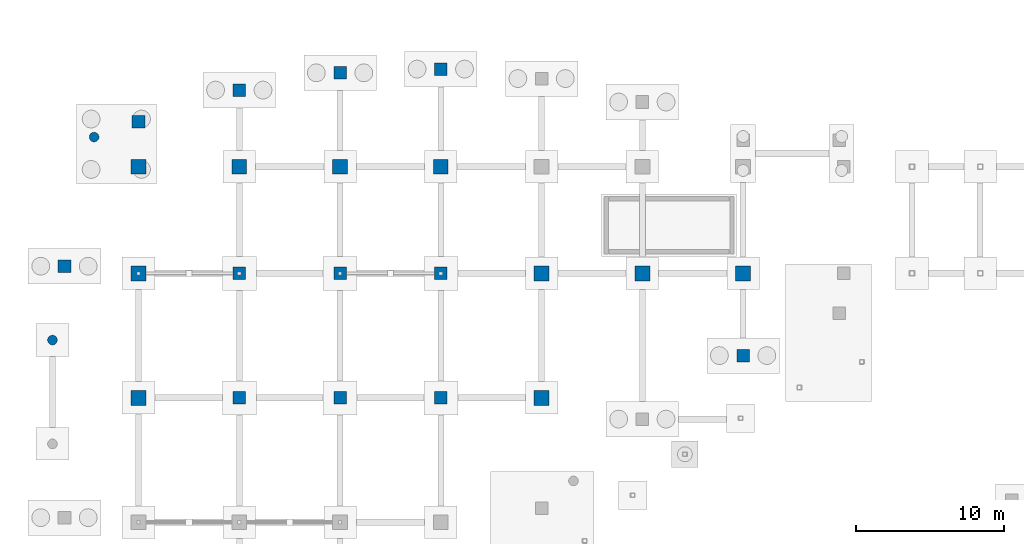
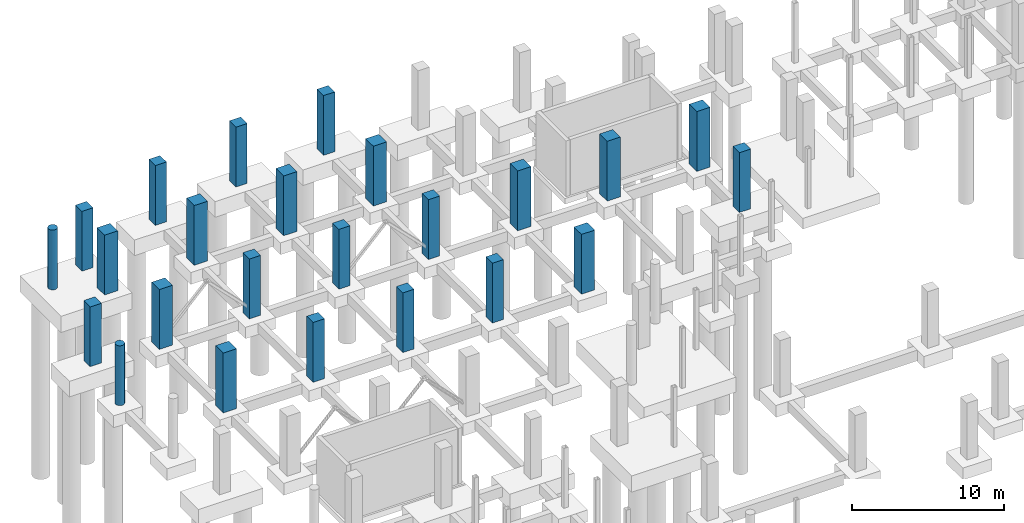
# One storey, part 20 of 44: 24 columns.
"""IFC4 building model written with IfcOpenShell, lengths in metres."""

from ifc_helpers import new_model, si_unit, direction, frame, origin, origin_2d, place, context, subcontext, project, spatial, rectangle, circle, extrude, material, material_profile, profile_set, type_object, element, save


model = new_model("IFC4")

# Units and contexts
model_context = context("Model", 3, precision=1e-05, world=origin(), true_north=direction((0.0, 1.0)))
body_context = subcontext(model_context, "Body", "Model", "MODEL_VIEW")
ifc_project = project(units=[si_unit("LENGTHUNIT", "METRE"), si_unit("AREAUNIT", "SQUARE_METRE"), si_unit("VOLUMEUNIT", "CUBIC_METRE"), si_unit("PLANEANGLEUNIT", "RADIAN"), si_unit("MASSUNIT", "GRAM", prefix="KILO")], contexts=[model_context])

# Site, building, storey
site_placement = place(None, origin())
site = spatial("IfcSite", under=ifc_project, at=site_placement, CompositionType="ELEMENT")
building_placement = place(site_placement, origin())
building = spatial("IfcBuilding", under=site, at=building_placement, Name="Kisaragi Civic Commons", CompositionType="ELEMENT")
storey_placement = place(building_placement, frame((0.0, 0.0, -4.800048828125)))
storey = spatial("IfcBuildingStorey", under=building, at=storey_placement, Name="B1", CompositionType="ELEMENT", Elevation=-4.800048828125)

# Columns
ifc_material_1 = material(Name="Concrete Fc36", Category="concrete")
ifc_material_profile_1 = material_profile(ifc_material_1, rectangle(XDim=0.85009765625, YDim=0.85009765625, at=origin_2d()), Name="RC-850x850", Category="concrete")
ifc_profile_set_1 = profile_set([ifc_material_profile_1], Name="Concrete Fc36")
column_type_1 = type_object("IfcColumnType", Name="C-01", PredefinedType="COLUMN", material=ifc_profile_set_1)
for number, where, z_axis, x_axis, name in (
    (1, (13.60009765625, 96.0, 0.0), (0.0, 0.0, 1.0), (1.0, 0.0, 0.0), "B1 column C-01 (13.6,96.0)"),
    (2, (13.60009765625, 104.39990234375, 0.0), (0.0, 0.0, 1.0), (1.0, 0.0, 0.0), "B1 column C-01 (13.6,104.4)"),
    (3, (20.39990234375, 96.0, 0.0), (0.0, 0.0, 1.0), (1.0, 0.0, 0.0), "B1 column C-01 (20.4,96.0)"),
    (4, (20.39990234375, 104.39990234375, 0.0), (0.0, 0.0, 1.0), (1.0, 0.0, 0.0), "B1 column C-01 (20.4,104.4)"),
    (5, (27.199951171875, 96.0, 0.0), (0.0, 0.0, 1.0), (1.0, 0.0, 0.0), "B1 column C-01 (27.2,96.0)"),
    (6, (27.199951171875, 104.39990234375, 0.0), (0.0, 0.0, 1.0), (1.0, 0.0, 0.0), "B1 column C-01 (27.2,104.4)"),
):
    element("IfcColumn", number, at=place(storey_placement, frame(where, z_axis=z_axis, x_axis=x_axis)), inside=storey, type_object=column_type_1, Name=name, PredefinedType="COLUMN", context=body_context, shape_type="SweptSolid", body=[
        extrude(rectangle(XDim=0.85009765625, YDim=0.85009765625, at=origin_2d()), origin(), (0.0, 0.0, 1.0), 4.800048828125),
    ])
ifc_material_profile_2 = material_profile(ifc_material_1, rectangle(XDim=0.85009765625, YDim=0.85009765625, at=origin_2d()), Name="RC-850x850", Category="concrete")
ifc_profile_set_2 = profile_set([ifc_material_profile_2], Name="Concrete Fc36")
column_type_2 = type_object("IfcColumnType", Name="C-05", PredefinedType="COLUMN", material=ifc_profile_set_2)
for number, where, z_axis, x_axis, name in (
    (7, (1.800048828125, 104.8837890625, 0.0), (0.0, 0.0, 1.0), (1.0, 0.0, 0.0), "B1 column C-05 (1.8,104.9)"),
    (8, (6.800048828125, 114.631103515625, 0.0), (0.0, 0.0, 1.0), (1.0, 0.0, 0.0), "B1 column C-05 (6.8,114.6)"),
    (9, (13.60009765625, 116.770263671875, 0.0), (0.0, 0.0, 1.0), (1.0, 0.0, 0.0), "B1 column C-05 (13.6,116.8)"),
    (10, (20.39990234375, 117.93408203125, 0.0), (0.0, 0.0, 1.0), (1.0, 0.0, 0.0), "B1 column C-05 (20.4,117.9)"),
    (11, (27.199951171875, 118.1884765625, 0.0), (0.0, 0.0, 1.0), (1.0, 0.0, 0.0), "B1 column C-05 (27.2,118.2)"),
    (12, (47.60009765625, 98.851318359375, 0.0), (0.0, 0.0, 1.0), (1.0, 0.0, 0.0), "B1 column C-05 (47.6,98.9)"),
):
    element("IfcColumn", number, at=place(storey_placement, frame(where, z_axis=z_axis, x_axis=x_axis)), inside=storey, type_object=column_type_2, Name=name, PredefinedType="COLUMN", context=body_context, shape_type="SweptSolid", body=[
        extrude(rectangle(XDim=0.85009765625, YDim=0.85009765625, at=origin_2d()), origin(), (0.0, 0.0, 1.0), 4.800048828125),
    ])
ifc_material_2 = material(Name="Concrete Fc30", Category="concrete")
ifc_material_profile_3 = material_profile(ifc_material_2, circle(Radius=0.324951171875, at=origin_2d()), Name="RC-D650", Category="concrete")
ifc_profile_set_3 = profile_set([ifc_material_profile_3], Name="Concrete Fc30")
column_type_3 = type_object("IfcColumnType", Name="C-12", PredefinedType="COLUMN", material=ifc_profile_set_3)
for number, where, z_axis, x_axis, name in (
    (13, (0.9912109375, 99.9033203125, 0.0), (0.0, 0.0, 1.0), (1.0, 0.0, 0.0), "B1 column C-12 (1.0,99.9)"),
    (14, (3.800048828125, 113.60009765625, 0.0), (0.0, 0.0, 1.0), (1.0, 0.0, 0.0), "B1 column C-12 (3.8,113.6)"),
):
    element("IfcColumn", number, at=place(storey_placement, frame(where, z_axis=z_axis, x_axis=x_axis)), inside=storey, type_object=column_type_3, Name=name, PredefinedType="COLUMN", context=body_context, shape_type="SweptSolid", body=[
        extrude(circle(Radius=0.324951171875, at=origin_2d()), origin(), (0.0, 0.0, 1.0), 4.800048828125),
    ])
ifc_material_profile_4 = material_profile(ifc_material_1, rectangle(XDim=1.0, YDim=1.0, at=origin_2d()), Name="RC-1000x1000", Category="concrete")
ifc_profile_set_4 = profile_set([ifc_material_profile_4], Name="Concrete Fc36")
column_type_4 = type_object("IfcColumnType", Name="C-22", PredefinedType="COLUMN", material=ifc_profile_set_4)
for number, where, z_axis, x_axis, name in (
    (15, (6.800048828125, 96.0, 0.0), (0.0, 0.0, 1.0), (1.0, 0.0, 0.0), "B1 column C-22 (6.8,96.0)"),
    (16, (6.800048828125, 104.39990234375, 0.0), (0.0, 0.0, 1.0), (1.0, 0.0, 0.0), "B1 column C-22 (6.8,104.4)"),
    (17, (6.800048828125, 111.60009765625, 0.0), (0.0, 0.0, 1.0), (1.0, 0.0, 0.0), "B1 column C-22 (6.8,111.6)"),
    (18, (13.60009765625, 111.60009765625, 0.0), (0.0, 0.0, 1.0), (1.0, 0.0, 0.0), "B1 column C-22 (13.6,111.6)"),
    (19, (20.39990234375, 111.60009765625, 0.0), (0.0, 0.0, 1.0), (1.0, 0.0, 0.0), "B1 column C-22 (20.4,111.6)"),
    (20, (27.199951171875, 111.60009765625, 0.0), (0.0, 0.0, 1.0), (1.0, 0.0, 0.0), "B1 column C-22 (27.2,111.6)"),
    (21, (34.0, 96.0, 0.0), (0.0, 0.0, 1.0), (1.0, 0.0, 0.0), "B1 column C-22 (34.0,96.0)"),
    (22, (34.0, 104.39990234375, 0.0), (0.0, 0.0, 1.0), (1.0, 0.0, 0.0), "B1 column C-22 (34.0,104.4)"),
    (23, (40.800048828125, 104.39990234375, 0.0), (0.0, 0.0, 1.0), (1.0, 0.0, 0.0), "B1 column C-22 (40.8,104.4)"),
    (24, (47.60009765625, 104.39990234375, 0.0), (0.0, 0.0, 1.0), (1.0, 0.0, 0.0), "B1 column C-22 (47.6,104.4)"),
):
    element("IfcColumn", number, at=place(storey_placement, frame(where, z_axis=z_axis, x_axis=x_axis)), inside=storey, type_object=column_type_4, Name=name, PredefinedType="COLUMN", context=body_context, shape_type="SweptSolid", body=[
        extrude(rectangle(XDim=1.0, YDim=1.0, at=origin_2d()), origin(), (0.0, 0.0, 1.0), 4.800048828125),
    ])

save(model, "model.ifc")
